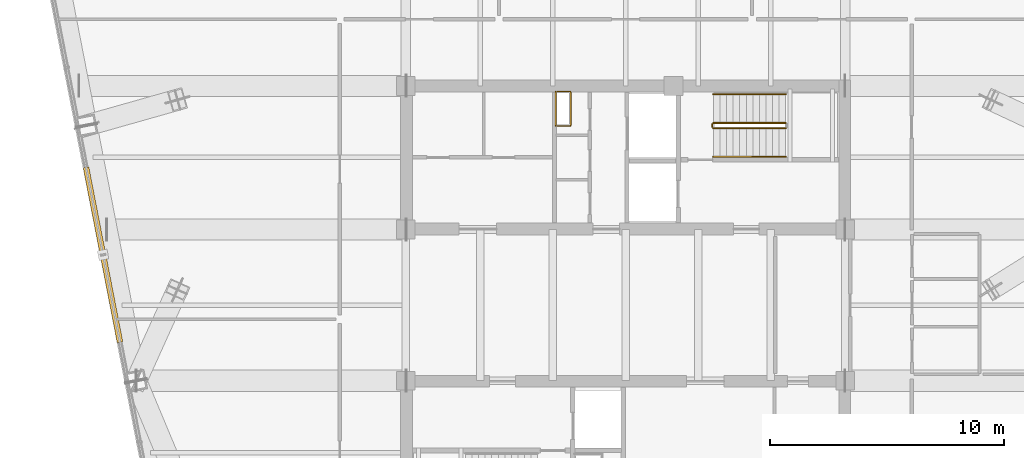
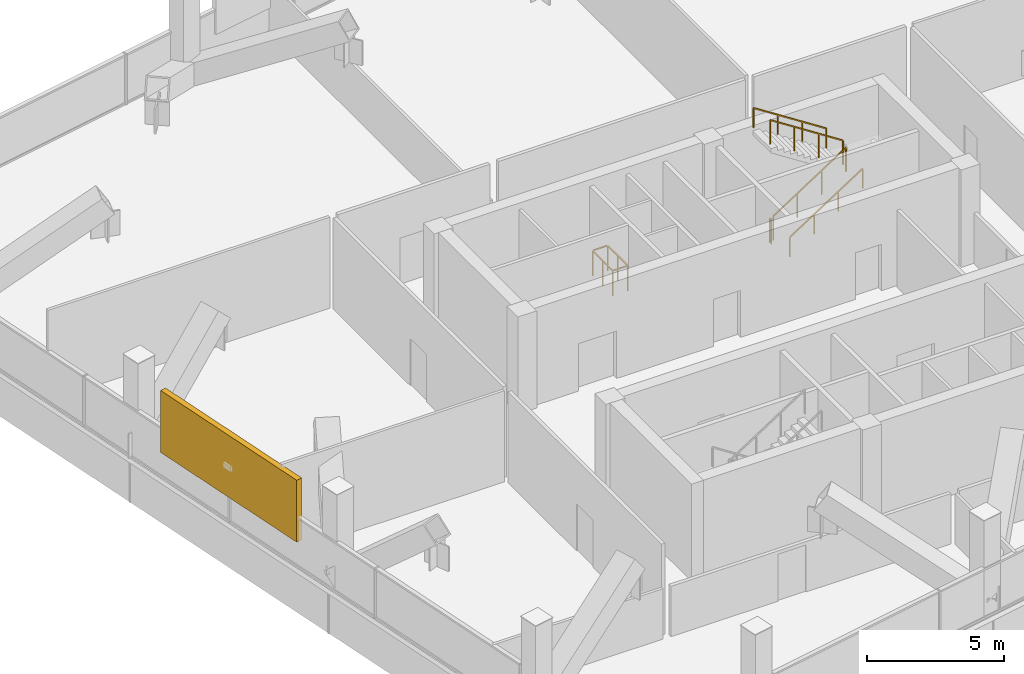
# One storey, part 24 of 26: 6 railings, 1 shading device.
"""IFC4 building model written with IfcOpenShell, lengths in metres."""

from ifc_helpers import new_model, si_unit, direction, frame, origin, origin_2d, place, context, subcontext, project, spatial, rectangle, extrude, material, type_object, element, save


model = new_model("IFC4")

# Units and contexts
model_context = context("Model", 3, precision=1e-05, world=origin(), true_north=direction((0.0, 1.0)))
body_context = subcontext(model_context, "Body", "Model", "MODEL_VIEW")
ifc_project = project(units=[si_unit("LENGTHUNIT", "METRE"), si_unit("AREAUNIT", "SQUARE_METRE"), si_unit("VOLUMEUNIT", "CUBIC_METRE"), si_unit("PLANEANGLEUNIT", "RADIAN"), si_unit("MASSUNIT", "GRAM", prefix="KILO")], contexts=[model_context])

# Site, building, storey
site_placement = place(None, origin())
site = spatial("IfcSite", under=ifc_project, at=site_placement, CompositionType="ELEMENT")
building_placement = place(site_placement, origin())
building = spatial("IfcBuilding", under=site, at=building_placement, Name="Qhalaya Broadcast Tower", CompositionType="ELEMENT")
storey_placement = place(building_placement, frame((0.0, 0.0, 140.25)))
storey = spatial("IfcBuildingStorey", under=building, at=storey_placement, Name="L41", CompositionType="ELEMENT", Elevation=140.25)

# Railings
ifc_material_1 = material(Name="Powder-Coated Galvanised Steel", Category="steel")
railing_type_1 = type_object("IfcRailingType", Name="Stair Wall Handrail 900", PredefinedType="HANDRAIL", material=ifc_material_1)
railing_1_placement = place(storey_placement, frame((3.75, 6.929931640625, 0.18115234375)))
element("IfcRailing", 1, at=railing_1_placement, inside=storey, type_object=railing_type_1, Name="L41 ST-1 Stair Handrail 1", PredefinedType="HANDRAIL", context=body_context, shape_type="SweptSolid", body=[
    extrude(rectangle(XDim=0.048095703125, YDim=0.048095703125, at=origin_2d()), frame((0.0, 0.0, 0.8759765625), z_axis=(0.8394576718, 0.0, 0.543425079708), x_axis=(0.0, 1.0, 0.0)), (0.0, 0.0, 1.0), 3.669189453125),
    extrude(rectangle(XDim=0.0419921875, YDim=0.0419921875, at=origin_2d()), origin(), (0.0, 0.0, 1.0), 0.849853515625),
    extrude(rectangle(XDim=0.0419921875, YDim=0.0419921875, at=origin_2d()), frame((1.026611328125, 0.0, 0.66455078125)), (0.0, 0.0, 1.0), 0.849853515625),
    extrude(rectangle(XDim=0.0419921875, YDim=0.0419921875, at=origin_2d()), frame((2.053466796875, 0.0, 1.329345703125)), (0.0, 0.0, 1.0), 0.849853515625),
    extrude(rectangle(XDim=0.0419921875, YDim=0.0419921875, at=origin_2d()), frame((3.080078125, 0.0, 1.993896484375)), (0.0, 0.0, 1.0), 0.849853515625),
])
railing_2_placement = place(storey_placement, frame((6.830078125, 9.590087890625, 2.356201171875)))
element("IfcRailing", 2, at=railing_2_placement, inside=storey, type_object=railing_type_1, Name="L41 ST-1 Stair Handrail 2", PredefinedType="HANDRAIL", context=body_context, shape_type="SweptSolid", body=[
    extrude(rectangle(XDim=0.048095703125, YDim=0.048095703125, at=origin_2d()), frame((0.0, 0.0, 0.8759765625), z_axis=(-0.8394576718, 0.0, 0.543425079708), x_axis=(0.0, -1.0, 0.0)), (0.0, 0.0, 1.0), 3.669189453125),
    extrude(rectangle(XDim=0.0419921875, YDim=0.0419921875, at=origin_2d()), origin(), (0.0, 0.0, 1.0), 0.849853515625),
    extrude(rectangle(XDim=0.0419921875, YDim=0.0419921875, at=origin_2d()), frame((-1.026611328125, 0.0, 0.66455078125)), (0.0, 0.0, 1.0), 0.849853515625),
    extrude(rectangle(XDim=0.0419921875, YDim=0.0419921875, at=origin_2d()), frame((-2.053466796875, 0.0, 1.329345703125)), (0.0, 0.0, 1.0), 0.849853515625),
    extrude(rectangle(XDim=0.0419921875, YDim=0.0419921875, at=origin_2d()), frame((-3.080078125, 0.0, 1.993896484375)), (0.0, 0.0, 1.0), 0.849853515625),
])
railing_type_2 = type_object("IfcRailingType", Name="Stair Well & Landing Guardrail 1100", PredefinedType="GUARDRAIL", material=ifc_material_1)
railing_3_placement = place(storey_placement, frame((-2.340087890625, 8.239990234375, 0.0)))
element("IfcRailing", 3, at=railing_3_placement, inside=storey, type_object=railing_type_2, Name="L41 Service Riser Opening Safety Guard NRSR", PredefinedType="GUARDRAIL", context=body_context, shape_type="SweptSolid", body=[
    extrude(rectangle(XDim=0.048095703125, YDim=0.048095703125, at=origin_2d()), frame((0.0, 0.02880859375, 1.1259765625), z_axis=(0.0, 1.0, 0.0), x_axis=(-1.0, 0.0, 0.0)), (0.0, 0.0, 1.0), 1.42236328125),
    extrude(rectangle(XDim=0.048095703125, YDim=0.048095703125, at=origin_2d()), frame((-0.02880859375, 1.47998046875, 1.1259765625), z_axis=(-1.0, 0.0, 0.0), x_axis=(0.0, -1.0, 0.0)), (0.0, 0.0, 1.0), 0.582275390625),
    extrude(rectangle(XDim=0.048095703125, YDim=0.048095703125, at=origin_2d()), frame((-0.639892578125, 1.451171875, 1.1259765625), z_axis=(0.0, -1.0, 0.0), x_axis=(1.0, 0.0, 0.0)), (0.0, 0.0, 1.0), 1.42236328125),
    extrude(rectangle(XDim=0.048095703125, YDim=0.048095703125, at=origin_2d()), frame((-0.611083984375, 0.0, 1.1259765625), z_axis=(1.0, 0.0, 0.0), x_axis=(0.0, 1.0, 0.0)), (0.0, 0.0, 1.0), 0.582275390625),
    extrude(rectangle(XDim=0.0419921875, YDim=0.0419921875, at=origin_2d()), origin(), (0.0, 0.0, 1.0), 1.099853515625),
    extrude(rectangle(XDim=0.0419921875, YDim=0.0419921875, at=origin_2d()), frame((0.0, 0.739990234375, 0.0)), (0.0, 0.0, 1.0), 1.099853515625),
    extrude(rectangle(XDim=0.0419921875, YDim=0.0419921875, at=origin_2d()), frame((0.0, 1.47998046875, 0.0)), (0.0, 0.0, 1.0), 1.099853515625),
    extrude(rectangle(XDim=0.0419921875, YDim=0.0419921875, at=origin_2d()), frame((-0.639892578125, 1.47998046875, 0.0)), (0.0, 0.0, 1.0), 1.099853515625),
    extrude(rectangle(XDim=0.0419921875, YDim=0.0419921875, at=origin_2d()), frame((-0.639892578125, 0.739990234375, 0.0)), (0.0, 0.0, 1.0), 1.099853515625),
    extrude(rectangle(XDim=0.0419921875, YDim=0.0419921875, at=origin_2d()), frame((-0.639892578125, 0.0, 0.0)), (0.0, 0.0, 1.0), 1.099853515625),
])
railing_4_placement = place(storey_placement, frame((3.75, 8.14990234375, 0.18115234375)))
element("IfcRailing", 4, at=railing_4_placement, inside=storey, type_object=railing_type_2, Name="L41 ST-1 Stair Guard 1", PredefinedType="GUARDRAIL", context=body_context, shape_type="SweptSolid", body=[
    extrude(rectangle(XDim=0.048095703125, YDim=0.048095703125, at=origin_2d()), frame((0.0, 0.0, 1.076171875), z_axis=(0.8394576718, 0.0, 0.543425079708), x_axis=(0.0, 1.0, 0.0)), (0.0, 0.0, 1.0), 3.669189453125),
    extrude(rectangle(XDim=0.0419921875, YDim=0.0419921875, at=origin_2d()), origin(), (0.0, 0.0, 1.0), 1.050048828125),
    extrude(rectangle(XDim=0.0419921875, YDim=0.0419921875, at=origin_2d()), frame((1.026611328125, 0.0, 0.66455078125)), (0.0, 0.0, 1.0), 1.050048828125),
    extrude(rectangle(XDim=0.0419921875, YDim=0.0419921875, at=origin_2d()), frame((2.053466796875, 0.0, 1.329345703125)), (0.0, 0.0, 1.0), 1.050048828125),
    extrude(rectangle(XDim=0.0419921875, YDim=0.0419921875, at=origin_2d()), frame((3.080078125, 0.0, 1.993896484375)), (0.0, 0.0, 1.0), 1.050048828125),
])
railing_5_placement = place(storey_placement, frame((6.830078125, 8.3701171875, 2.356201171875)))
element("IfcRailing", 5, at=railing_5_placement, inside=storey, type_object=railing_type_2, Name="L41 ST-1 Stair Guard 3", PredefinedType="GUARDRAIL", context=body_context, shape_type="SweptSolid", body=[
    extrude(rectangle(XDim=0.048095703125, YDim=0.048095703125, at=origin_2d()), frame((0.0, 0.0, 1.076171875), z_axis=(-0.8394576718, 0.0, 0.543425079708), x_axis=(0.0, -1.0, 0.0)), (0.0, 0.0, 1.0), 3.669189453125),
    extrude(rectangle(XDim=0.0419921875, YDim=0.0419921875, at=origin_2d()), origin(), (0.0, 0.0, 1.0), 1.050048828125),
    extrude(rectangle(XDim=0.0419921875, YDim=0.0419921875, at=origin_2d()), frame((-1.026611328125, 0.0, 0.66455078125)), (0.0, 0.0, 1.0), 1.050048828125),
    extrude(rectangle(XDim=0.0419921875, YDim=0.0419921875, at=origin_2d()), frame((-2.053466796875, 0.0, 1.329345703125)), (0.0, 0.0, 1.0), 1.050048828125),
    extrude(rectangle(XDim=0.0419921875, YDim=0.0419921875, at=origin_2d()), frame((-3.080078125, 0.0, 1.993896484375)), (0.0, 0.0, 1.0), 1.050048828125),
])
railing_6_placement = place(storey_placement, frame((3.699951171875, 8.199951171875, 0.0)))
element("IfcRailing", 6, at=railing_6_placement, inside=storey, type_object=railing_type_2, Name="L41 ST-1 Stair Guard 4", PredefinedType="GUARDRAIL", context=body_context, shape_type="SweptSolid", body=[
    extrude(rectangle(XDim=0.048095703125, YDim=0.048095703125, at=origin_2d()), frame((0.0, 0.0, 1.076171875), z_axis=(0.0, 1.0, 0.0), x_axis=(-1.0, 0.0, 0.0)), (0.0, 0.0, 1.0), 0.1201171875),
    extrude(rectangle(XDim=0.0419921875, YDim=0.0419921875, at=origin_2d()), origin(), (0.0, 0.0, 1.0), 1.050048828125),
    extrude(rectangle(XDim=0.0419921875, YDim=0.0419921875, at=origin_2d()), frame((0.0, 0.1201171875, 0.0)), (0.0, 0.0, 1.0), 1.050048828125),
])

# Shading device
ifc_material_2 = material(Name="Fired Architectural Terracotta", Category="masonry")
shading_device_type = type_object("IfcShadingDeviceType", Name="Terracotta Baguette Solar Screen Assembly TBS-01", PredefinedType="USERDEFINED", material=ifc_material_2)
shading_device_placement = place(storey_placement, frame((-22.292724609375, 2.74658203125, 1.139404296875), z_axis=(0.0, 0.0, 1.0), x_axis=(0.190808995377, -0.981627183448, 0.0)))
element("IfcShadingDevice", 7, at=shading_device_placement, inside=storey, type_object=shading_device_type, Name="L41 Fired Terracotta Baguette Screen W", ObjectType="BAGUETTE", PredefinedType="USERDEFINED", context=body_context, shape_type="SweptSolid", body=[
    extrude(rectangle(XDim=7.60009765625, YDim=0.239990234375, at=origin_2d()), origin(), (0.0, 0.0, 1.0), 2.76806640625),
])

save(model, "model.ifc")
